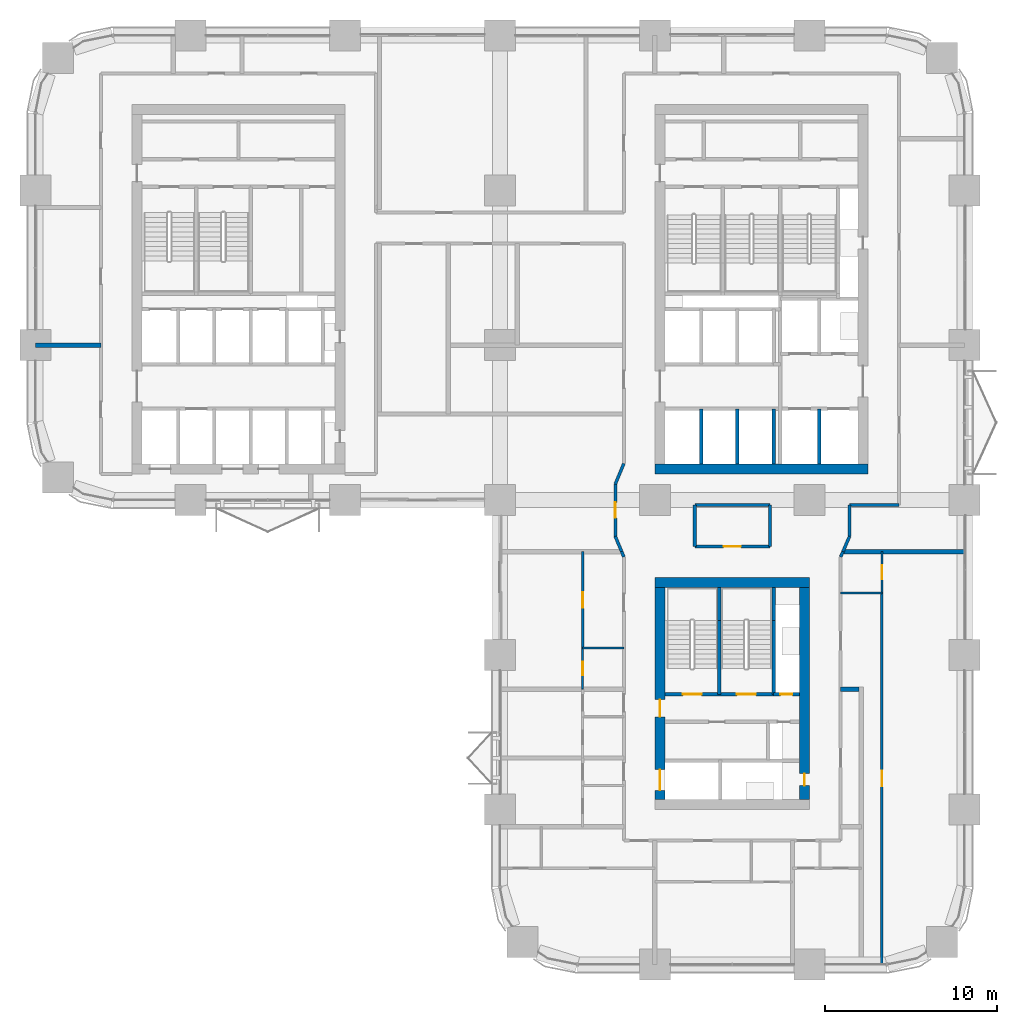
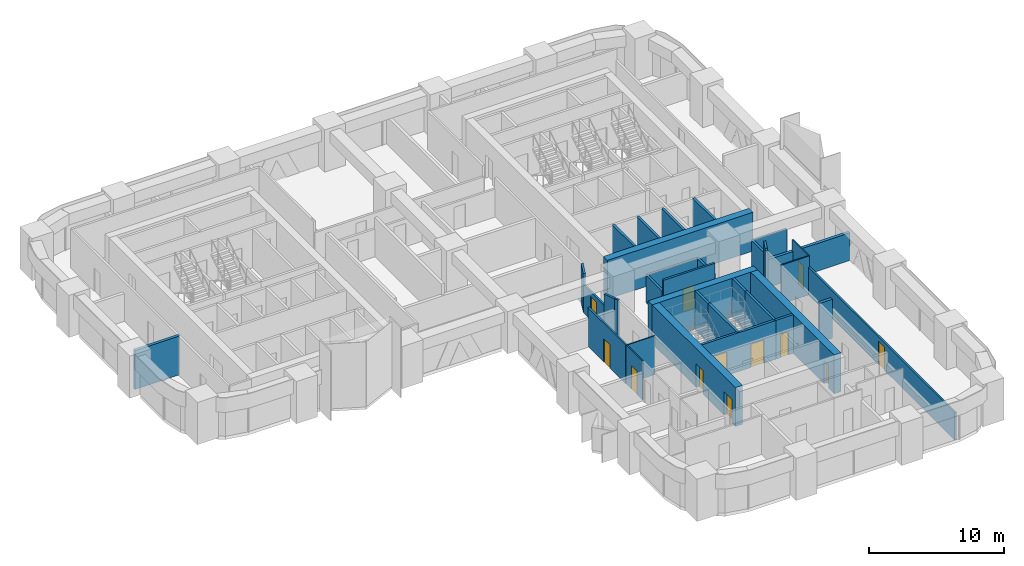
# One storey, part 14 of 24: 35 walls, 12 doors, 12 openings.
"""IFC4 building model written with IfcOpenShell, lengths in metres."""

from ifc_helpers import new_model, si_unit, direction, frame, frame_2d, origin, place, context, subcontext, project, spatial, rectangle, extrude, material, layer, layer_set, type_object, element, fill, save


model = new_model("IFC4")

# Units and contexts
model_context = context("Model", 3, precision=1e-05, world=origin(), true_north=direction((0.0, 1.0)))
body_context = subcontext(model_context, "Body", "Model", "MODEL_VIEW")
ifc_project = project(units=[si_unit("LENGTHUNIT", "METRE"), si_unit("AREAUNIT", "SQUARE_METRE"), si_unit("VOLUMEUNIT", "CUBIC_METRE"), si_unit("PLANEANGLEUNIT", "RADIAN"), si_unit("MASSUNIT", "GRAM", prefix="KILO")], contexts=[model_context])

# Site, building, storey
site_placement = place(None, origin())
site = spatial("IfcSite", under=ifc_project, at=site_placement, CompositionType="ELEMENT")
building_placement = place(site_placement, origin())
building = spatial("IfcBuilding", under=site, at=building_placement, Name="Tessera Arch", CompositionType="ELEMENT")
storey_placement = place(building_placement, frame((0.0, 0.0, 81.60009765625)))
storey = spatial("IfcBuildingStorey", under=building, at=storey_placement, Name="L18", CompositionType="ELEMENT", Elevation=81.60009765625)

# Walls
ifc_material_1 = material(Name="Concrete C70/85", Category="concrete")
ifc_layer_1 = layer(ifc_material_1, 0.60009765625)
ifc_layer_set_1 = layer_set([ifc_layer_1], Name="Core shell wall 600 C70-85")
wall_type_1 = type_object("IfcWallType", Name="Core shell wall 600 C70-85", PredefinedType="SHEAR", material=ifc_layer_set_1)
wall_1_placement = place(storey_placement, frame((36.0, 28.800048828125, 0.0), z_axis=(0.0, 0.0, 1.0), x_axis=(1.0, 0.0, 0.0)))
element("IfcWall", 1, at=wall_1_placement, inside=storey, type_object=wall_type_1, Name="L18 C1 core wall S", PredefinedType="SHEAR", context=body_context, shape_type="SweptSolid", body=[
    extrude(rectangle(XDim=12.39990234375, YDim=0.60009765625, at=frame_2d((6.199951171875, 0.0))), origin(), (0.0, 0.0, 1.0), 3.5),
])
wall_2_placement = place(storey_placement, frame((36.0, 22.199951171875, 0.0), z_axis=(0.0, 0.0, 1.0), x_axis=(1.0, 0.0, 0.0)))
element("IfcWall", 2, at=wall_2_placement, inside=storey, type_object=wall_type_1, Name="L18 C3 core wall N", PredefinedType="SHEAR", context=body_context, shape_type="SweptSolid", body=[
    extrude(rectangle(XDim=9.0, YDim=0.60009765625, at=frame_2d((4.5, 0.0))), origin(), (0.0, 0.0, 1.0), 3.5),
])

# Wall, openings, doors
wall_3_placement = place(storey_placement, frame((36.300048828125, 9.60009765625, 0.0), z_axis=(0.0, 0.0, 1.0), x_axis=(0.0, 1.0, 0.0)))
wall_3 = element("IfcWall", 3, at=wall_3_placement, inside=storey, type_object=wall_type_1, Name="L18 C3 core wall W", PredefinedType="SHEAR", context=body_context, shape_type="SweptSolid", body=[
    extrude(rectangle(XDim=12.2998046875, YDim=0.60009765625, at=frame_2d((6.14990234375, 0.0))), origin(), (0.0, 0.0, 1.0), 3.5),
])
opening_1_placement = place(wall_3_placement, frame((0.52490234375, 0.0, 0.0)))
opening_1 = element("IfcOpeningElement", 4, at=opening_1_placement, cuts=wall_3, Name="Opening L18-C33", PredefinedType="OPENING", context=body_context, shape_type="SweptSolid", body=[
    extrude(rectangle(XDim=1.199951171875, YDim=2.10009765625, at=frame_2d((0.60009765625, 1.050048828125))), frame((0.0, 0.31005859375, 0.0), z_axis=(0.0, -1.0, 0.0), x_axis=(1.0, 0.0, 0.0)), (0.0, 0.0, 1.0), 0.6201171875),
])
opening_2_placement = place(wall_3_placement, frame((4.800048828125, 0.0, 0.0)))
opening_2 = element("IfcOpeningElement", 5, at=opening_2_placement, cuts=wall_3, Name="Opening L18-C39", PredefinedType="OPENING", context=body_context, shape_type="SweptSolid", body=[
    extrude(rectangle(XDim=1.0, YDim=2.10009765625, at=frame_2d((0.5, 1.050048828125))), frame((0.0, 0.31005859375, 0.0), z_axis=(0.0, -1.0, 0.0), x_axis=(1.0, 0.0, 0.0)), (0.0, 0.0, 1.0), 0.6201171875),
])
ifc_material_2 = material(Name="Steel door leaf", Category="steel")
door_type_1 = type_object("IfcDoorType", Name="Corridor door FD60 1000 x 2100", OperationType="SINGLE_SWING_LEFT", PredefinedType="DOOR", material=ifc_material_2)
door_1_placement = place(opening_2_placement, origin())
door_1 = element("IfcDoor", 6, at=door_1_placement, inside=storey, type_object=door_type_1, Name="L18 C3 door 7 C39 type D12", OperationType="SINGLE_SWING_LEFT", OverallHeight=2.10009765625, OverallWidth=1.0, PredefinedType="DOOR", context=body_context, shape_type="SweptSolid", body=[
    extrude(rectangle(XDim=1.0, YDim=2.10009765625, at=frame_2d((0.5, 1.050048828125))), frame((0.0, 0.02490234375, 0.0), z_axis=(0.0, -1.0, 0.0), x_axis=(1.0, 0.0, 0.0)), (0.0, 0.0, 1.0), 0.050048828125),
])
fill(opening_2, door_1)
ifc_material_3 = material(Name="Stainless steel AISI 304", Category="steel")
door_type_2 = type_object("IfcDoorType", Name="Sliding landing door 1200 x 2100", OperationType="SLIDING_TO_LEFT", PredefinedType="DOOR", material=ifc_material_3)
door_2_placement = place(opening_1_placement, origin())
door_2 = element("IfcDoor", 7, at=door_2_placement, inside=storey, type_object=door_type_2, Name="L18 SV1 lift landing door C33 type LD", OperationType="SLIDING_TO_LEFT", OverallHeight=2.10009765625, OverallWidth=1.199951171875, PredefinedType="DOOR", context=body_context, shape_type="SweptSolid", body=[
    extrude(rectangle(XDim=1.199951171875, YDim=2.10009765625, at=frame_2d((0.60009765625, 1.050048828125))), frame((0.0, 0.02490234375, 0.0), z_axis=(0.0, -1.0, 0.0), x_axis=(1.0, 0.0, 0.0)), (0.0, 0.0, 1.0), 0.050048828125),
])
fill(opening_1, door_2)

# Wall, opening, door
wall_4_placement = place(storey_placement, frame((44.699951171875, 9.60009765625, 0.0), z_axis=(0.0, 0.0, 1.0), x_axis=(0.0, 1.0, 0.0)))
wall_4 = element("IfcWall", 8, at=wall_4_placement, inside=storey, type_object=wall_type_1, Name="L18 C3 core wall E", PredefinedType="SHEAR", context=body_context, shape_type="SweptSolid", body=[
    extrude(rectangle(XDim=12.2998046875, YDim=0.60009765625, at=frame_2d((6.14990234375, 0.0))), origin(), (0.0, 0.0, 1.0), 3.5),
])
opening_3_placement = place(wall_4_placement, frame((0.800048828125, 0.0, 0.0)))
opening_3 = element("IfcOpeningElement", 9, at=opening_3_placement, cuts=wall_4, Name="Opening L18-C38", PredefinedType="OPENING", context=body_context, shape_type="SweptSolid", body=[
    extrude(rectangle(XDim=0.699951171875, YDim=2.10009765625, at=frame_2d((0.35009765625, 1.050048828125))), frame((0.0, 0.31005859375, 0.0), z_axis=(0.0, -1.0, 0.0), x_axis=(1.0, 0.0, 0.0)), (0.0, 0.0, 1.0), 0.6201171875),
])
ifc_material_4 = material(Name="Steel door leaf", Category="steel")
door_type_3 = type_object("IfcDoorType", Name="Service shaft door FD60 700 x 2100", OperationType="SINGLE_SWING_LEFT", PredefinedType="DOOR", material=ifc_material_4)
door_3_placement = place(opening_3_placement, origin())
door_3 = element("IfcDoor", 10, at=door_3_placement, inside=storey, type_object=door_type_3, Name="L18 C3 door 6 C38 type D07", OperationType="SINGLE_SWING_LEFT", OverallHeight=2.10009765625, OverallWidth=0.699951171875, PredefinedType="DOOR", context=body_context, shape_type="SweptSolid", body=[
    extrude(rectangle(XDim=0.699951171875, YDim=2.10009765625, at=frame_2d((0.35009765625, 1.050048828125))), frame((0.0, 0.02490234375, 0.0), z_axis=(0.0, -1.0, 0.0), x_axis=(1.0, 0.0, 0.0)), (0.0, 0.0, 1.0), 0.050048828125),
])
fill(opening_3, door_3)

ifc_material_5 = material(Name="Gypsum board on deep steel stud with mineral wool", Category="steel")
ifc_layer_2 = layer(ifc_material_5, 0.175048828125)
ifc_layer_set_2 = layer_set([ifc_layer_2], Name="Corridor wall 175 EI 60")
wall_type_2 = type_object("IfcWallType", Name="Corridor wall 175 EI 60", PredefinedType="PARTITIONING", material=ifc_layer_set_2)
wall_5_placement = place(storey_placement, frame((38.320068359375, 24.300048828125, 0.0), z_axis=(0.0, 0.0, 1.0), x_axis=(1.0, 0.0, 0.0)))
wall_5 = element("IfcWall", 11, at=wall_5_placement, inside=storey, type_object=wall_type_2, Name="L18 partition 2", PredefinedType="PARTITIONING", context=body_context, shape_type="SweptSolid", body=[
    extrude(rectangle(XDim=4.35986328125, YDim=0.175048828125, at=frame_2d((2.179931640625, 0.0))), origin(), (0.0, 0.0, 1.0), 3.5),
])
opening_4_placement = place(wall_5_placement, frame((1.679931640625, 0.0, 0.0)))
opening_4 = element("IfcOpeningElement", 12, at=opening_4_placement, cuts=wall_5, Name="Opening L18-D023", PredefinedType="OPENING", context=body_context, shape_type="SweptSolid", body=[
    extrude(rectangle(XDim=1.0, YDim=2.10009765625, at=frame_2d((0.5, 1.050048828125))), frame((0.0, 0.097412109375, 0.0), z_axis=(0.0, -1.0, 0.0), x_axis=(1.0, 0.0, 0.0)), (0.0, 0.0, 1.0), 0.195068359375),
])
ifc_material_6 = material(Name="Fire-rated door leaf")
door_type_4 = type_object("IfcDoorType", Name="Entrance door FD30S 1000 x 2100", OperationType="SINGLE_SWING_LEFT", PredefinedType="DOOR", material=ifc_material_6)
door_4_placement = place(opening_4_placement, origin())
door_4 = element("IfcDoor", 13, at=door_4_placement, inside=storey, type_object=door_type_4, Name="L18 door D023 type D03", OperationType="SINGLE_SWING_LEFT", OverallHeight=2.10009765625, OverallWidth=1.0, PredefinedType="DOOR", context=body_context, shape_type="SweptSolid", body=[
    extrude(rectangle(XDim=1.0, YDim=2.10009765625, at=frame_2d((0.5, 1.050048828125))), frame((0.0, 0.02490234375, 0.0), z_axis=(0.0, -1.0, 0.0), x_axis=(1.0, 0.0, 0.0)), (0.0, 0.0, 1.0), 0.050048828125),
])
fill(opening_4, door_4)

# Walls
wall_6_placement = place(storey_placement, frame((38.320068359375, 26.699951171875, 0.0), z_axis=(0.0, 0.0, 1.0), x_axis=(1.0, 0.0, 0.0)))
element("IfcWall", 14, at=wall_6_placement, inside=storey, type_object=wall_type_2, Name="L18 partition 3", PredefinedType="PARTITIONING", context=body_context, shape_type="SweptSolid", body=[
    extrude(rectangle(XDim=4.35986328125, YDim=0.175048828125, at=frame_2d((2.179931640625, 0.0))), origin(), (0.0, 0.0, 1.0), 2.5),
])
wall_7_placement = place(storey_placement, frame((47.320068359375, 26.699951171875, 0.0), z_axis=(0.0, 0.0, 1.0), x_axis=(1.0, 0.0, 0.0)))
element("IfcWall", 15, at=wall_7_placement, inside=storey, type_object=wall_type_2, Name="L18 partition 4", PredefinedType="PARTITIONING", context=body_context, shape_type="SweptSolid", body=[
    extrude(rectangle(XDim=2.8798828125, YDim=0.175048828125, at=frame_2d((1.43994140625, 0.0))), origin(), (0.0, 0.0, 1.0), 2.5),
])

# Wall, opening, door
wall_8_placement = place(storey_placement, frame((33.699951171875, 24.889892578125, 0.0), z_axis=(0.0, 0.0, 1.0), x_axis=(0.0, 1.0, 0.0)))
wall_8 = element("IfcWall", 16, at=wall_8_placement, inside=storey, type_object=wall_type_2, Name="L18 partition 14", PredefinedType="PARTITIONING", context=body_context, shape_type="SweptSolid", body=[
    extrude(rectangle(XDim=3.030029296875, YDim=0.175048828125, at=frame_2d((1.51513671875, 0.0))), origin(), (0.0, 0.0, 1.0), 2.5),
])
opening_5_placement = place(wall_8_placement, frame((1.06494140625, 0.0, 0.0)))
opening_5 = element("IfcOpeningElement", 17, at=opening_5_placement, cuts=wall_8, Name="Opening L18-D024", PredefinedType="OPENING", context=body_context, shape_type="SweptSolid", body=[
    extrude(rectangle(XDim=0.89990234375, YDim=2.10009765625, at=frame_2d((0.449951171875, 1.050048828125))), frame((0.0, 0.097412109375, 0.0), z_axis=(0.0, -1.0, 0.0), x_axis=(1.0, 0.0, 0.0)), (0.0, 0.0, 1.0), 0.195068359375),
])
ifc_material_7 = material(Name="Timber door leaf", Category="wood")
door_type_5 = type_object("IfcDoorType", Name="Room door 900 x 2100", OperationType="SINGLE_SWING_LEFT", PredefinedType="DOOR", material=ifc_material_7)
door_5_placement = place(opening_5_placement, origin())
door_5 = element("IfcDoor", 18, at=door_5_placement, inside=storey, type_object=door_type_5, Name="L18 door D024 type D01", OperationType="SINGLE_SWING_RIGHT", OverallHeight=2.10009765625, OverallWidth=0.89990234375, PredefinedType="DOOR", context=body_context, shape_type="SweptSolid", body=[
    extrude(rectangle(XDim=0.89990234375, YDim=2.10009765625, at=frame_2d((0.449951171875, 1.050048828125))), frame((0.0, 0.02490234375, 0.0), z_axis=(0.0, -1.0, 0.0), x_axis=(1.0, 0.0, 0.0)), (0.0, 0.0, 1.0), 0.050048828125),
])
fill(opening_5, door_5)

# Walls
for number, where, z_axis, x_axis, name in (
    (19, (38.320068359375, 24.300048828125, 0.0), (0.0, 0.0, 1.0), (0.0, 1.0, 0.0), "L18 partition 18"),
    (20, (42.679931640625, 24.300048828125, 0.0), (0.0, 0.0, 1.0), (0.0, 1.0, 0.0), "L18 partition 19"),
):
    element("IfcWall", number, at=place(storey_placement, frame(where, z_axis=z_axis, x_axis=x_axis)), inside=storey, type_object=wall_type_2, Name=name, PredefinedType="PARTITIONING", context=body_context, shape_type="SweptSolid", body=[
        extrude(rectangle(XDim=2.39990234375, YDim=0.175048828125, at=frame_2d((1.199951171875, 0.0))), origin(), (0.0, 0.0, 1.0), 2.5),
    ])
wall_9_placement = place(storey_placement, frame((47.320068359375, 24.889892578125, 0.0), z_axis=(0.0, 0.0, 1.0), x_axis=(0.0, 1.0, 0.0)))
element("IfcWall", 21, at=wall_9_placement, inside=storey, type_object=wall_type_2, Name="L18 partition 21", PredefinedType="PARTITIONING", context=body_context, shape_type="SweptSolid", body=[
    extrude(rectangle(XDim=1.81005859375, YDim=0.175048828125, at=frame_2d((0.905029296875, 0.0))), origin(), (0.0, 0.0, 1.0), 2.5),
])
for number, where, z_axis, x_axis, name in (
    (22, (46.934326171875, 24.0, 0.0), (0.0, 0.0, 1.0), (-0.397404653206, -0.917643471949, 0.0), "L18 partition 71"),
    (23, (34.199951171875, 23.68994140625, 0.0), (0.0, 0.0, 1.0), (-0.384307602557, 0.92320510539, 0.0), "L18 partition 72"),
):
    element("IfcWall", number, at=place(storey_placement, frame(where, z_axis=z_axis, x_axis=x_axis)), inside=storey, type_object=wall_type_2, Name=name, PredefinedType="PARTITIONING", context=body_context, shape_type="SweptSolid", body=[
        extrude(rectangle(XDim=0.337890625, YDim=0.175048828125, at=frame_2d((0.1689453125, 0.0))), origin(), (0.0, 0.0, 1.0), 3.5),
    ])
wall_10_placement = place(storey_placement, frame((34.071533203125, 23.998291015625, 0.0), z_axis=(0.0, 0.0, 1.0), x_axis=(-0.384687170746, 0.923047008913, 0.0)))
element("IfcWall", 24, at=wall_10_placement, inside=storey, type_object=wall_type_2, Name="L18 partition 73", PredefinedType="PARTITIONING", context=body_context, shape_type="SweptSolid", body=[
    extrude(rectangle(XDim=0.9658203125, YDim=0.175048828125, at=frame_2d((0.48291015625, 0.0))), origin(), (0.0, 0.0, 1.0), 3.5),
])
wall_11_placement = place(storey_placement, frame((33.699951171875, 27.919921875, 0.0), z_axis=(0.0, 0.0, 1.0), x_axis=(0.384562051588, 0.923099143363, 0.0)))
element("IfcWall", 25, at=wall_11_placement, inside=storey, type_object=wall_type_2, Name="L18 partition 74", PredefinedType="PARTITIONING", context=body_context, shape_type="SweptSolid", body=[
    extrude(rectangle(XDim=1.30029296875, YDim=0.175048828125, at=frame_2d((0.650146484375, 0.0))), origin(), (0.0, 0.0, 1.0), 3.5),
])
wall_12_placement = place(storey_placement, frame((47.320068359375, 24.889892578125, 0.0), z_axis=(0.0, 0.0, 1.0), x_axis=(-0.397713396445, -0.917509702558, 0.0)))
element("IfcWall", 26, at=wall_12_placement, inside=storey, type_object=wall_type_2, Name="L18 partition 75", PredefinedType="PARTITIONING", context=body_context, shape_type="SweptSolid", body=[
    extrude(rectangle(XDim=0.969970703125, YDim=0.175048828125, at=frame_2d((0.48486328125, 0.0))), origin(), (0.0, 0.0, 1.0), 3.5),
])

# Wall, opening, door
ifc_material_8 = material(Name="Gypsum board on steel stud", Category="steel")
ifc_layer_3 = layer(ifc_material_8, 0.14990234375)
ifc_layer_set_3 = layer_set([ifc_layer_3], Name="Partition 150")
wall_type_3 = type_object("IfcWallType", Name="Partition 150", PredefinedType="PARTITIONING", material=ifc_layer_set_3)
wall_13_placement = place(storey_placement, frame((31.800048828125, 18.39990234375, 0.0), z_axis=(0.0, 0.0, 1.0), x_axis=(0.0, 1.0, 0.0)))
wall_13 = element("IfcWall", 27, at=wall_13_placement, inside=storey, type_object=wall_type_3, Name="L18 partition 28", PredefinedType="PARTITIONING", context=body_context, shape_type="SweptSolid", body=[
    extrude(rectangle(XDim=5.60009765625, YDim=0.14990234375, at=frame_2d((2.800048828125, 0.0))), origin(), (0.0, 0.0, 1.0), 3.5),
])
opening_6_placement = place(wall_13_placement, frame((2.35009765625, 0.0, 0.0)))
opening_6 = element("IfcOpeningElement", 28, at=opening_6_placement, cuts=wall_13, Name="Opening L18-D021", PredefinedType="OPENING", context=body_context, shape_type="SweptSolid", body=[
    extrude(rectangle(XDim=0.89990234375, YDim=2.10009765625, at=frame_2d((0.449951171875, 1.050048828125))), frame((0.0, 0.0849609375, 0.0), z_axis=(0.0, -1.0, 0.0), x_axis=(1.0, 0.0, 0.0)), (0.0, 0.0, 1.0), 0.169921875),
])
door_6_placement = place(opening_6_placement, origin())
door_6 = element("IfcDoor", 29, at=door_6_placement, inside=storey, type_object=door_type_5, Name="L18 door D021 type D01", OperationType="SINGLE_SWING_LEFT", OverallHeight=2.10009765625, OverallWidth=0.89990234375, PredefinedType="DOOR", context=body_context, shape_type="SweptSolid", body=[
    extrude(rectangle(XDim=0.89990234375, YDim=2.10009765625, at=frame_2d((0.449951171875, 1.050048828125))), frame((0.0, 0.02490234375, 0.0), z_axis=(0.0, -1.0, 0.0), x_axis=(1.0, 0.0, 0.0)), (0.0, 0.0, 1.0), 0.050048828125),
])
fill(opening_6, door_6)

wall_14_placement = place(storey_placement, frame((49.199951171875, 0.0, 0.0), z_axis=(0.0, 0.0, 1.0), x_axis=(0.0, 1.0, 0.0)))
wall_14 = element("IfcWall", 30, at=wall_14_placement, inside=storey, type_object=wall_type_3, Name="L18 partition 29", PredefinedType="PARTITIONING", context=body_context, shape_type="SweptSolid", body=[
    extrude(rectangle(XDim=21.60009765625, YDim=0.14990234375, at=frame_2d((10.800048828125, 0.0))), origin(), (0.0, 0.0, 1.0), 2.5),
])
opening_7_placement = place(wall_14_placement, frame((10.35009765625, 0.0, 0.0)))
opening_7 = element("IfcOpeningElement", 31, at=opening_7_placement, cuts=wall_14, Name="Opening L18-D015", PredefinedType="OPENING", context=body_context, shape_type="SweptSolid", body=[
    extrude(rectangle(XDim=0.89990234375, YDim=2.10009765625, at=frame_2d((0.449951171875, 1.050048828125))), frame((0.0, 0.0849609375, 0.0), z_axis=(0.0, -1.0, 0.0), x_axis=(1.0, 0.0, 0.0)), (0.0, 0.0, 1.0), 0.169921875),
])
door_7_placement = place(opening_7_placement, origin())
door_7 = element("IfcDoor", 32, at=door_7_placement, inside=storey, type_object=door_type_5, Name="L18 door D015 type D01", OperationType="SINGLE_SWING_RIGHT", OverallHeight=2.10009765625, OverallWidth=0.89990234375, PredefinedType="DOOR", context=body_context, shape_type="SweptSolid", body=[
    extrude(rectangle(XDim=0.89990234375, YDim=2.10009765625, at=frame_2d((0.449951171875, 1.050048828125))), frame((0.0, 0.02490234375, 0.0), z_axis=(0.0, -1.0, 0.0), x_axis=(1.0, 0.0, 0.0)), (0.0, 0.0, 1.0), 0.050048828125),
])
fill(opening_7, door_7)

# Walls
ifc_material_9 = material(Name="Double gypsum board on twin steel stud with acoustic mineral wool", Category="steel")
ifc_layer_4 = layer(ifc_material_9, 0.25)
ifc_layer_set_4 = layer_set([ifc_layer_4], Name="Party wall 250 EI 60")
wall_type_4 = type_object("IfcWallType", Name="Party wall 250 EI 60", PredefinedType="PARTITIONING", material=ifc_layer_set_4)
wall_15_placement = place(storey_placement, frame((46.800048828125, 16.0, 0.0), z_axis=(0.0, 0.0, 1.0), x_axis=(1.0, 0.0, 0.0)))
element("IfcWall", 33, at=wall_15_placement, inside=storey, type_object=wall_type_4, Name="L18 partition 34", PredefinedType="PARTITIONING", context=body_context, shape_type="SweptSolid", body=[
    extrude(rectangle(XDim=1.074951171875, YDim=0.25, at=frame_2d((0.53759765625, 0.0))), origin(), (0.0, 0.0, 1.0), 3.5),
])
wall_16_placement = place(storey_placement, frame((46.934326171875, 24.0, 0.0), z_axis=(0.0, 0.0, 1.0), x_axis=(1.0, 0.0, 0.0)))
element("IfcWall", 34, at=wall_16_placement, inside=storey, type_object=wall_type_4, Name="L18 partition 36", PredefinedType="PARTITIONING", context=body_context, shape_type="SweptSolid", body=[
    extrude(rectangle(XDim=7.065673828125, YDim=0.25, at=frame_2d((3.53271484375, 0.0))), origin(), (0.0, 0.0, 1.0), 2.5),
])
wall_17_placement = place(storey_placement, frame((0.0, 36.0, 0.0), z_axis=(0.0, 0.0, 1.0), x_axis=(1.0, 0.0, 0.0)))
element("IfcWall", 35, at=wall_17_placement, inside=storey, type_object=wall_type_4, Name="L18 partition 38", PredefinedType="PARTITIONING", context=body_context, shape_type="SweptSolid", body=[
    extrude(rectangle(XDim=3.800048828125, YDim=0.25, at=frame_2d((1.89990234375, 0.0))), origin(), (0.0, 0.0, 1.0), 3.5),
])
ifc_material_10 = material(Name="Concrete C40/50", Category="concrete")
ifc_layer_5 = layer(ifc_material_10, 0.199951171875)
ifc_layer_set_5 = layer_set([ifc_layer_5], Name="Shaft wall 200 EI 120")
wall_type_5 = type_object("IfcWallType", Name="Shaft wall 200 EI 120", PredefinedType="SOLIDWALL", material=ifc_layer_set_5)
for number, where, z_axis, x_axis, name in (
    (36, (38.699951171875, 29.10009765625, 0.0), (0.0, 0.0, 1.0), (0.0, 1.0, 0.0), "L18 C1 shaft wall 1"),
    (37, (40.800048828125, 29.10009765625, 0.0), (0.0, 0.0, 1.0), (0.0, 1.0, 0.0), "L18 C1 shaft wall 6"),
    (38, (42.89990234375, 29.10009765625, 0.0), (0.0, 0.0, 1.0), (0.0, 1.0, 0.0), "L18 C1 shaft wall 8"),
    (39, (45.550048828125, 29.10009765625, 0.0), (0.0, 0.0, 1.0), (0.0, 1.0, 0.0), "L18 C1 shaft wall 14"),
):
    element("IfcWall", number, at=place(storey_placement, frame(where, z_axis=z_axis, x_axis=x_axis)), inside=storey, type_object=wall_type_5, Name=name, PredefinedType="SOLIDWALL", context=body_context, shape_type="SweptSolid", body=[
        extrude(rectangle(XDim=3.199951171875, YDim=0.199951171875, at=frame_2d((1.60009765625, 0.0))), origin(), (0.0, 0.0, 1.0), 3.5),
    ])

# Wall, opening, door
wall_18_placement = place(storey_placement, frame((42.89990234375, 15.699951171875, 0.0), z_axis=(0.0, 0.0, 1.0), x_axis=(1.0, 0.0, 0.0)))
wall_18 = element("IfcWall", 40, at=wall_18_placement, inside=storey, type_object=wall_type_5, Name="L18 C3 shaft wall 10", PredefinedType="SOLIDWALL", context=body_context, shape_type="SweptSolid", body=[
    extrude(rectangle(XDim=1.5, YDim=0.199951171875, at=frame_2d((0.75, 0.0))), origin(), (0.0, 0.0, 1.0), 3.5),
])
opening_8_placement = place(wall_18_placement, frame((0.39990234375, 0.0, 0.0)))
opening_8 = element("IfcOpeningElement", 41, at=opening_8_placement, cuts=wall_18, Name="Opening L18-C36", PredefinedType="OPENING", context=body_context, shape_type="SweptSolid", body=[
    extrude(rectangle(XDim=0.699951171875, YDim=2.10009765625, at=frame_2d((0.35009765625, 1.050048828125))), frame((0.0, 0.10986328125, 0.0), z_axis=(0.0, -1.0, 0.0), x_axis=(1.0, 0.0, 0.0)), (0.0, 0.0, 1.0), 0.219970703125),
])
door_8_placement = place(opening_8_placement, origin())
door_8 = element("IfcDoor", 42, at=door_8_placement, inside=storey, type_object=door_type_3, Name="L18 C3 door 4 C36 type D07", OperationType="SINGLE_SWING_LEFT", OverallHeight=2.10009765625, OverallWidth=0.699951171875, PredefinedType="DOOR", context=body_context, shape_type="SweptSolid", body=[
    extrude(rectangle(XDim=0.699951171875, YDim=2.10009765625, at=frame_2d((0.35009765625, 1.050048828125))), frame((0.0, 0.02490234375, 0.0), z_axis=(0.0, -1.0, 0.0), x_axis=(1.0, 0.0, 0.0)), (0.0, 0.0, 1.0), 0.050048828125),
])
fill(opening_8, door_8)

# Walls
ifc_material_11 = material(Name="Concrete C40/50", Category="concrete")
ifc_layer_6 = layer(ifc_material_11, 0.199951171875)
ifc_layer_set_6 = layer_set([ifc_layer_6], Name="Stair well wall 200 REI 180")
wall_type_6 = type_object("IfcWallType", Name="Stair well wall 200 REI 180", PredefinedType="SOLIDWALL", material=ifc_layer_set_6)
wall_19_placement = place(storey_placement, frame((39.75, 15.699951171875, 0.0), z_axis=(0.0, 0.0, 1.0), x_axis=(0.0, 1.0, 0.0)))
element("IfcWall", 43, at=wall_19_placement, inside=storey, type_object=wall_type_6, Name="L18 C3 shaft wall 1", PredefinedType="SOLIDWALL", context=body_context, shape_type="SweptSolid", body=[
    extrude(rectangle(XDim=4.300048828125, YDim=0.199951171875, at=frame_2d((2.14990234375, 0.0))), origin(), (0.0, 0.0, 1.0), 3.5),
])
wall_20_placement = place(storey_placement, frame((39.75, 20.0, 0.0), z_axis=(0.0, 0.0, 1.0), x_axis=(0.0, 1.0, 0.0)))
element("IfcWall", 44, at=wall_20_placement, inside=storey, type_object=wall_type_6, Name="L18 C3 shaft wall 2", PredefinedType="SOLIDWALL", context=body_context, shape_type="SweptSolid", body=[
    extrude(rectangle(XDim=1.89990234375, YDim=0.199951171875, at=frame_2d((0.949951171875, 0.0))), origin(), (0.0, 0.0, 1.0), 3.5),
])
wall_21_placement = place(storey_placement, frame((42.89990234375, 15.699951171875, 0.0), z_axis=(0.0, 0.0, 1.0), x_axis=(0.0, 1.0, 0.0)))
element("IfcWall", 45, at=wall_21_placement, inside=storey, type_object=wall_type_6, Name="L18 C3 shaft wall 5", PredefinedType="SOLIDWALL", context=body_context, shape_type="SweptSolid", body=[
    extrude(rectangle(XDim=4.300048828125, YDim=0.199951171875, at=frame_2d((2.14990234375, 0.0))), origin(), (0.0, 0.0, 1.0), 3.5),
])
wall_22_placement = place(storey_placement, frame((42.89990234375, 20.0, 0.0), z_axis=(0.0, 0.0, 1.0), x_axis=(0.0, 1.0, 0.0)))
element("IfcWall", 46, at=wall_22_placement, inside=storey, type_object=wall_type_6, Name="L18 C3 shaft wall 6", PredefinedType="SOLIDWALL", context=body_context, shape_type="SweptSolid", body=[
    extrude(rectangle(XDim=1.89990234375, YDim=0.199951171875, at=frame_2d((0.949951171875, 0.0))), origin(), (0.0, 0.0, 1.0), 3.5),
])

# Wall, openings, doors
wall_23_placement = place(storey_placement, frame((36.60009765625, 15.699951171875, 0.0), z_axis=(0.0, 0.0, 1.0), x_axis=(1.0, 0.0, 0.0)))
wall_23 = element("IfcWall", 47, at=wall_23_placement, inside=storey, type_object=wall_type_6, Name="L18 C3 shaft wall 11", PredefinedType="SOLIDWALL", context=body_context, shape_type="SweptSolid", body=[
    extrude(rectangle(XDim=6.2998046875, YDim=0.199951171875, at=frame_2d((3.14990234375, 0.0))), origin(), (0.0, 0.0, 1.0), 3.5),
])
opening_9_placement = place(wall_23_placement, frame((1.02490234375, 0.0, 0.0)))
opening_9 = element("IfcOpeningElement", 48, at=opening_9_placement, cuts=wall_23, Name="Opening L18-C34", PredefinedType="OPENING", context=body_context, shape_type="SweptSolid", body=[
    extrude(rectangle(XDim=1.10009765625, YDim=2.10009765625, at=frame_2d((0.550048828125, 1.050048828125))), frame((0.0, 0.10986328125, 0.0), z_axis=(0.0, -1.0, 0.0), x_axis=(1.0, 0.0, 0.0)), (0.0, 0.0, 1.0), 0.219970703125),
])
opening_10_placement = place(wall_23_placement, frame((4.175048828125, 0.0, 0.0)))
opening_10 = element("IfcOpeningElement", 49, at=opening_10_placement, cuts=wall_23, Name="Opening L18-C35", PredefinedType="OPENING", context=body_context, shape_type="SweptSolid", body=[
    extrude(rectangle(XDim=1.10009765625, YDim=2.10009765625, at=frame_2d((0.550048828125, 1.050048828125))), frame((0.0, 0.10986328125, 0.0), z_axis=(0.0, -1.0, 0.0), x_axis=(1.0, 0.0, 0.0)), (0.0, 0.0, 1.0), 0.219970703125),
])
ifc_material_12 = material(Name="Steel door leaf", Category="steel")
door_type_6 = type_object("IfcDoorType", Name="Stair door FD60 1100 x 2100", OperationType="SINGLE_SWING_LEFT", PredefinedType="DOOR", material=ifc_material_12)
door_9_placement = place(opening_9_placement, origin())
door_9 = element("IfcDoor", 50, at=door_9_placement, inside=storey, type_object=door_type_6, Name="L18 C3 door 2 C34 type D05", OperationType="SINGLE_SWING_LEFT", OverallHeight=2.10009765625, OverallWidth=1.10009765625, PredefinedType="DOOR", context=body_context, shape_type="SweptSolid", body=[
    extrude(rectangle(XDim=1.10009765625, YDim=2.10009765625, at=frame_2d((0.550048828125, 1.050048828125))), frame((0.0, 0.02490234375, 0.0), z_axis=(0.0, -1.0, 0.0), x_axis=(1.0, 0.0, 0.0)), (0.0, 0.0, 1.0), 0.050048828125),
])
fill(opening_9, door_9)
door_10_placement = place(opening_10_placement, origin())
door_10 = element("IfcDoor", 51, at=door_10_placement, inside=storey, type_object=door_type_6, Name="L18 C3 door 3 C35 type D05", OperationType="SINGLE_SWING_RIGHT", OverallHeight=2.10009765625, OverallWidth=1.10009765625, PredefinedType="DOOR", context=body_context, shape_type="SweptSolid", body=[
    extrude(rectangle(XDim=1.10009765625, YDim=2.10009765625, at=frame_2d((0.550048828125, 1.050048828125))), frame((0.0, 0.02490234375, 0.0), z_axis=(0.0, -1.0, 0.0), x_axis=(1.0, 0.0, 0.0)), (0.0, 0.0, 1.0), 0.050048828125),
])
fill(opening_10, door_10)

# Walls
ifc_material_13 = material(Name="Moisture-resistant board on pre-plumbed steel stud", Category="steel")
ifc_layer_7 = layer(ifc_material_13, 0.10009765625)
ifc_layer_set_7 = layer_set([ifc_layer_7], Name="Wet wall 100")
wall_type_7 = type_object("IfcWallType", Name="Wet wall 100", PredefinedType="PARTITIONING", material=ifc_layer_set_7)
for number, where, z_axis, x_axis, name in (
    (52, (31.800048828125, 18.39990234375, 0.0), (0.0, 0.0, 1.0), (1.0, 0.0, 0.0), "L18 partition 62"),
    (53, (46.800048828125, 21.60009765625, 0.0), (0.0, 0.0, 1.0), (1.0, 0.0, 0.0), "L18 partition 63"),
):
    element("IfcWall", number, at=place(storey_placement, frame(where, z_axis=z_axis, x_axis=x_axis)), inside=storey, type_object=wall_type_7, Name=name, PredefinedType="PARTITIONING", context=body_context, shape_type="SweptSolid", body=[
        extrude(rectangle(XDim=2.39990234375, YDim=0.10009765625, at=frame_2d((1.199951171875, 0.0))), origin(), (0.0, 0.0, 1.0), 3.5),
    ])

# Wall, opening, door
wall_24_placement = place(storey_placement, frame((31.800048828125, 16.0, 0.0), z_axis=(0.0, 0.0, 1.0), x_axis=(0.0, 1.0, 0.0)))
wall_24 = element("IfcWall", 54, at=wall_24_placement, inside=storey, type_object=wall_type_7, Name="L18 partition 67", PredefinedType="PARTITIONING", context=body_context, shape_type="SweptSolid", body=[
    extrude(rectangle(XDim=2.39990234375, YDim=0.10009765625, at=frame_2d((1.199951171875, 0.0))), origin(), (0.0, 0.0, 1.0), 3.5),
])
opening_11_placement = place(wall_24_placement, frame((0.800048828125, 0.0, 0.0)))
opening_11 = element("IfcOpeningElement", 55, at=opening_11_placement, cuts=wall_24, Name="Opening L18-D022", PredefinedType="OPENING", context=body_context, shape_type="SweptSolid", body=[
    extrude(rectangle(XDim=0.800048828125, YDim=2.10009765625, at=frame_2d((0.39990234375, 1.050048828125))), frame((0.0, 0.06005859375, 0.0), z_axis=(0.0, -1.0, 0.0), x_axis=(1.0, 0.0, 0.0)), (0.0, 0.0, 1.0), 0.1201171875),
])
ifc_material_14 = material(Name="Timber door leaf", Category="wood")
door_type_7 = type_object("IfcDoorType", Name="En-suite door 800 x 2100", OperationType="SINGLE_SWING_LEFT", PredefinedType="DOOR", material=ifc_material_14)
door_11_placement = place(opening_11_placement, origin())
door_11 = element("IfcDoor", 56, at=door_11_placement, inside=storey, type_object=door_type_7, Name="L18 door D022 type D02", OperationType="SINGLE_SWING_RIGHT", OverallHeight=2.10009765625, OverallWidth=0.800048828125, PredefinedType="DOOR", context=body_context, shape_type="SweptSolid", body=[
    extrude(rectangle(XDim=0.800048828125, YDim=2.10009765625, at=frame_2d((0.39990234375, 1.050048828125))), frame((0.0, 0.02490234375, 0.0), z_axis=(0.0, -1.0, 0.0), x_axis=(1.0, 0.0, 0.0)), (0.0, 0.0, 1.0), 0.050048828125),
])
fill(opening_11, door_11)

wall_25_placement = place(storey_placement, frame((49.199951171875, 21.60009765625, 0.0), z_axis=(0.0, 0.0, 1.0), x_axis=(0.0, 1.0, 0.0)))
wall_25 = element("IfcWall", 57, at=wall_25_placement, inside=storey, type_object=wall_type_7, Name="L18 partition 70", PredefinedType="PARTITIONING", context=body_context, shape_type="SweptSolid", body=[
    extrude(rectangle(XDim=2.39990234375, YDim=0.10009765625, at=frame_2d((1.199951171875, 0.0))), origin(), (0.0, 0.0, 1.0), 3.5),
])
opening_12_placement = place(wall_25_placement, frame((0.800048828125, 0.0, 0.0)))
opening_12 = element("IfcOpeningElement", 58, at=opening_12_placement, cuts=wall_25, Name="Opening L18-D016", PredefinedType="OPENING", context=body_context, shape_type="SweptSolid", body=[
    extrude(rectangle(XDim=0.800048828125, YDim=2.10009765625, at=frame_2d((0.39990234375, 1.050048828125))), frame((0.0, 0.06005859375, 0.0), z_axis=(0.0, -1.0, 0.0), x_axis=(1.0, 0.0, 0.0)), (0.0, 0.0, 1.0), 0.1201171875),
])
door_12_placement = place(opening_12_placement, origin())
door_12 = element("IfcDoor", 59, at=door_12_placement, inside=storey, type_object=door_type_7, Name="L18 door D016 type D02", OperationType="SINGLE_SWING_LEFT", OverallHeight=2.10009765625, OverallWidth=0.800048828125, PredefinedType="DOOR", context=body_context, shape_type="SweptSolid", body=[
    extrude(rectangle(XDim=0.800048828125, YDim=2.10009765625, at=frame_2d((0.39990234375, 1.050048828125))), frame((0.0, 0.02490234375, 0.0), z_axis=(0.0, -1.0, 0.0), x_axis=(1.0, 0.0, 0.0)), (0.0, 0.0, 1.0), 0.050048828125),
])
fill(opening_12, door_12)

save(model, "model.ifc")
